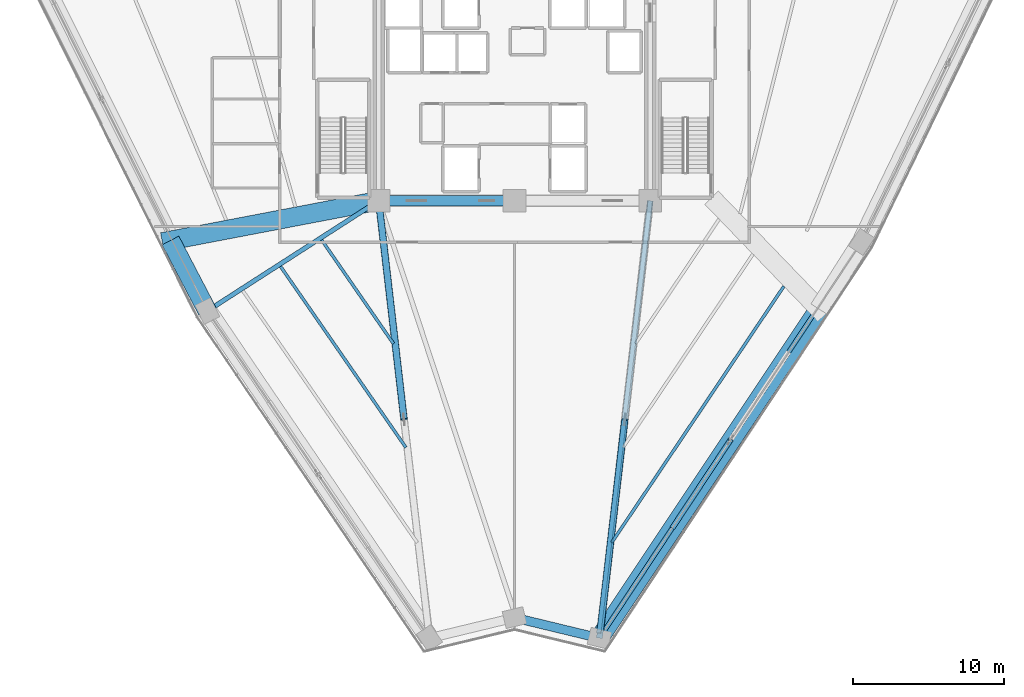
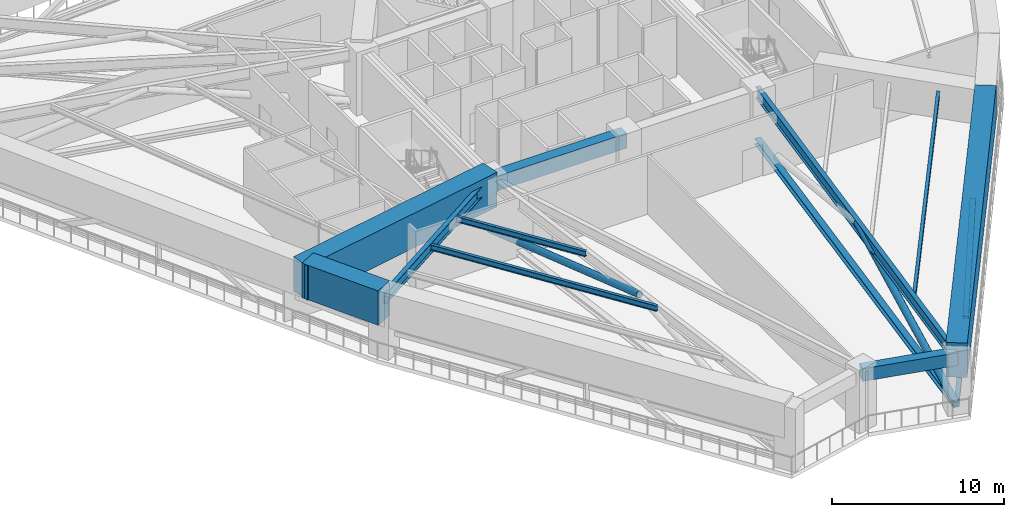
# One storey, part 3 of 27: 10 beams, 5 members.
"""IFC4 building model written with IfcOpenShell, lengths in metres."""

from ifc_helpers import new_model, si_unit, direction, frame, origin, origin_2d, place, context, subcontext, project, spatial, rectangle, hollow_rectangle, hollow_circle, i_section, extrude, source, transform, mapped, material, material_profile, profile_set, type_object, element, save


model = new_model("IFC4")

# Units and contexts
model_context = context("Model", 3, precision=1e-05, world=origin(), true_north=direction((0.0, 1.0)))
body_context = subcontext(model_context, "Body", "Model", "MODEL_VIEW")
ifc_project = project(units=[si_unit("LENGTHUNIT", "METRE"), si_unit("AREAUNIT", "SQUARE_METRE"), si_unit("VOLUMEUNIT", "CUBIC_METRE"), si_unit("PLANEANGLEUNIT", "RADIAN"), si_unit("MASSUNIT", "GRAM", prefix="KILO")], contexts=[model_context])

# Site, building, storey
site_placement = place(None, origin())
site = spatial("IfcSite", under=ifc_project, at=site_placement, CompositionType="ELEMENT")
building_placement = place(site_placement, origin())
building = spatial("IfcBuilding", under=site, at=building_placement, Name="Liaohun Quay Tower", CompositionType="ELEMENT")
storey_placement = place(building_placement, frame((0.0, 0.0, 185.25)))
storey = spatial("IfcBuildingStorey", under=building, at=storey_placement, Name="L48", CompositionType="ELEMENT", Elevation=185.25)

# Beams
ifc_material_1 = material(Name="Concrete C60", Category="concrete")
ifc_material_profile_1 = material_profile(ifc_material_1, rectangle(XDim=0.699951171875, YDim=1.050048828125, at=origin_2d()), Name="RC700x1050")
ifc_profile_set_1 = profile_set([ifc_material_profile_1], Name="Concrete C60")
beam_type_1 = type_object("IfcBeamType", Name="BM-CPL-1", PredefinedType="LINTEL", material=ifc_profile_set_1)
shared_shape_1 = source(origin(), body_context, "Body", "SweptSolid", [
    extrude(rectangle(XDim=0.699951171875, YDim=1.050048828125, at=origin_2d()), origin(), (0.0, 0.0, 1.0), 9.0),
])
beam_1_placement = place(storey_placement, frame((51.0, 46.5, 3.695068359375), z_axis=(1.0, 0.0, 0.0), x_axis=(0.0, 1.0, 0.0)))
element("IfcBeam", 1, at=beam_1_placement, inside=storey, type_object=beam_type_1, Name="L48 Core Coupling/Ring Beam CC1-CC2", PredefinedType="LINTEL", context=body_context, shape_type="MappedRepresentation", body=[
    mapped(shared_shape_1, transform((0.0, 0.0, 0.0), x_axis=(1.0, 0.0, 0.0), y_axis=(0.0, 1.0, 0.0), z_axis=(0.0, 0.0, 1.0), scale=1.0)),
])
ifc_material_2 = material(Name="Steel Q355D", Category="steel")
ifc_material_profile_2 = material_profile(ifc_material_2, i_section(OverallWidth=0.300048828125, OverallDepth=0.75, WebThickness=0.013916015625, FlangeThickness=0.02587890625, at=origin_2d()), Name="HN750x300x14x26")
ifc_profile_set_2 = profile_set([ifc_material_profile_2], Name="Steel Q355D")
beam_type_2 = type_object("IfcBeamType", Name="BM-RAD-M2", PredefinedType="BEAM", material=ifc_profile_set_2)
shared_shape_2 = source(origin(), body_context, "Body", "SweptSolid", [
    extrude(i_section(OverallWidth=0.300048828125, OverallDepth=0.75, WebThickness=0.013916015625, FlangeThickness=0.02587890625, at=origin_2d()), origin(), (0.0, 0.0, 1.0), 13.50537109375),
])
beam_2_placement = place(storey_placement, frame((51.0, 46.5, 3.844970703125), z_axis=(-0.840997523628, -0.54103896833, 0.0), x_axis=(0.54103896833, -0.840997523628, 0.0)))
element("IfcBeam", 2, at=beam_2_placement, inside=storey, type_object=beam_type_2, Name="L48 Radial Primary Girder CC1-PC02", PredefinedType="BEAM", context=body_context, shape_type="MappedRepresentation", body=[
    mapped(shared_shape_2, transform((0.0, 0.0, 0.0), x_axis=(1.0, 0.0, 0.0), y_axis=(0.0, 1.0, 0.0), z_axis=(0.0, 0.0, 1.0), scale=1.0)),
])
ifc_material_3 = material(Name="Precast concrete C55", Category="concrete")
ifc_material_profile_3 = material_profile(ifc_material_3, rectangle(XDim=0.60009765625, YDim=0.89990234375, at=origin_2d()), Name="RC600x900")
ifc_profile_set_3 = profile_set([ifc_material_profile_3], Name="Precast concrete C55")
beam_type_3 = type_object("IfcBeamType", Name="BM-SPD-Z2", PredefinedType="SPANDREL", material=ifc_profile_set_3)
shared_shape_3 = source(origin(), body_context, "Body", "SweptSolid", [
    extrude(rectangle(XDim=0.60009765625, YDim=0.89990234375, at=origin_2d()), origin(), (0.0, 0.0, 1.0), 5.79296875),
])
beam_3_placement = place(storey_placement, frame((65.631103515625, 17.506103515625, 3.77001953125), z_axis=(-0.972057342739, 0.23474352478, 0.0), x_axis=(-0.23474352478, -0.972057342739, 0.0)))
element("IfcBeam", 3, at=beam_3_placement, inside=storey, type_object=beam_type_3, Name="L48 Precast Spandrel Beam PC11-PC12", PredefinedType="SPANDREL", context=body_context, shape_type="MappedRepresentation", body=[
    mapped(shared_shape_3, transform((0.0, 0.0, 0.0), x_axis=(1.0, 0.0, 0.0), y_axis=(0.0, 1.0, 0.0), z_axis=(0.0, 0.0, 1.0), scale=1.0)),
])
ifc_material_profile_4 = material_profile(ifc_material_1, rectangle(XDim=1.25, YDim=2.449951171875, at=origin_2d()), Name="RC1250x2450")
ifc_profile_set_4 = profile_set([ifc_material_profile_4], Name="Concrete C60")
beam_type_4 = type_object("IfcBeamType", Name="BM-TRF-1", PredefinedType="BEAM", material=ifc_profile_set_4)
shared_shape_4 = source(origin(), body_context, "Body", "SweptSolid", [
    extrude(rectangle(XDim=1.25, YDim=2.449951171875, at=origin_2d()), origin(), (0.0, 0.0, 1.0), 5.269775390625),
])
beam_4_placement = place(storey_placement, frame((39.64208984375, 39.193115234375, 3.5), z_axis=(-0.46304249958, 0.886336078236, 0.0), x_axis=(-0.886336078236, -0.46304249958, 0.0)))
element("IfcBeam", 4, at=beam_4_placement, inside=storey, type_object=beam_type_4, Name="L48 Zone-Break Transfer Link PC02", PredefinedType="BEAM", context=body_context, shape_type="MappedRepresentation", body=[
    mapped(shared_shape_4, transform((0.0, 0.0, 0.0), x_axis=(1.0, 0.0, 0.0), y_axis=(0.0, 1.0, 0.0), z_axis=(0.0, 0.0, 1.0), scale=1.0)),
])
shared_shape_5 = source(origin(), body_context, "Body", "SweptSolid", [
    extrude(rectangle(XDim=1.25, YDim=2.449951171875, at=origin_2d()), origin(), (0.0, 0.0, 1.0), 14.59716796875),
])
beam_5_placement = place(storey_placement, frame((51.0, 46.5, 3.5), z_axis=(-0.982237853708, -0.187640077659, 0.0), x_axis=(0.187640077659, -0.982237853708, 0.0)))
element("IfcBeam", 5, at=beam_5_placement, inside=storey, type_object=beam_type_4, Name="L48 Radial Transfer Girder CC1-PC02", PredefinedType="BEAM", context=body_context, shape_type="MappedRepresentation", body=[
    mapped(shared_shape_5, transform((0.0, 0.0, 0.0), x_axis=(1.0, 0.0, 0.0), y_axis=(0.0, 1.0, 0.0), z_axis=(0.0, 0.0, 1.0), scale=1.0)),
])
shared_shape_6 = source(origin(), body_context, "Body", "SweptSolid", [
    extrude(rectangle(XDim=1.25, YDim=2.449951171875, at=origin_2d()), origin(), (0.0, 0.0, 1.0), 26.2236328125),
])
beam_6_placement = place(storey_placement, frame((80.177978515625, 39.324951171875, 3.5), z_axis=(-0.554725977448, -0.832033106279, 0.0), x_axis=(0.832033106279, -0.554725977448, 0.0)))
element("IfcBeam", 6, at=beam_6_placement, inside=storey, type_object=beam_type_4, Name="L48 Zone-Break Transfer Spandrel PC10-PC11", PredefinedType="BEAM", context=body_context, shape_type="MappedRepresentation", body=[
    mapped(shared_shape_6, transform((0.0, 0.0, 0.0), x_axis=(1.0, 0.0, 0.0), y_axis=(0.0, 1.0, 0.0), z_axis=(0.0, 0.0, 1.0), scale=1.0)),
])
ifc_material_profile_5 = material_profile(ifc_material_2, i_section(OverallWidth=0.300048828125, OverallDepth=0.800048828125, WebThickness=0.013916015625, FlangeThickness=0.02587890625, at=origin_2d()), Name="HN800x300x14x26")
ifc_profile_set_5 = profile_set([ifc_material_profile_5], Name="Steel Q355D")
beam_type_5 = type_object("IfcBeamType", Name="BM-RAD-M1", PredefinedType="BEAM", material=ifc_profile_set_5)
shared_shape_7 = source(origin(), body_context, "Body", "SweptSolid", [
    extrude(i_section(OverallWidth=0.300048828125, OverallDepth=0.800048828125, WebThickness=0.013916015625, FlangeThickness=0.02587890625, at=origin_2d()), origin(), (0.0, 0.0, 1.0), 28.85791015625),
])
beam_7_placement = place(storey_placement, frame((69.0, 46.5, 3.820068359375), z_axis=(-0.11834020208, -0.992973109692, 0.0), x_axis=(0.992973109692, -0.11834020208, 0.0)))
element("IfcBeam", 7, at=beam_7_placement, inside=storey, type_object=beam_type_5, Name="L48 Radial Primary Girder CC3-PC11", PredefinedType="BEAM", context=body_context, shape_type="MappedRepresentation", body=[
    mapped(shared_shape_7, transform((0.0, 0.0, 0.0), x_axis=(1.0, 0.0, 0.0), y_axis=(0.0, 1.0, 0.0), z_axis=(0.0, 0.0, 1.0), scale=1.0)),
])
ifc_material_profile_6 = material_profile(ifc_material_2, i_section(OverallWidth=0.199951171875, OverallDepth=0.39990234375, WebThickness=0.008056640625, FlangeThickness=0.012939453125, at=origin_2d()), Name="HN400x200x8x13")
ifc_profile_set_6 = profile_set([ifc_material_profile_6], Name="Steel Q355D")
beam_type_6 = type_object("IfcBeamType", Name="BM-SEC-J2", PredefinedType="JOIST", material=ifc_profile_set_6)
shared_shape_8 = source(origin(), body_context, "Body", "SweptSolid", [
    extrude(i_section(OverallWidth=0.199951171875, OverallDepth=0.39990234375, WebThickness=0.008056640625, FlangeThickness=0.012939453125, at=origin_2d()), origin(), (0.0, 0.0, 1.0), 8.356201171875),
])
beam_8_placement = place(storey_placement, frame((51.98095703125, 37.02197265625, 4.02001953125), z_axis=(-0.569258594459, 0.822158532544, 0.0), x_axis=(-0.822158532544, -0.569258594459, 0.0)))
element("IfcBeam", 8, at=beam_8_placement, inside=storey, type_object=beam_type_6, Name="L48 Wing Secondary Floor Joist SJ-01", PredefinedType="JOIST", context=body_context, shape_type="MappedRepresentation", body=[
    mapped(shared_shape_8, transform((0.0, 0.0, 0.0), x_axis=(1.0, 0.0, 0.0), y_axis=(0.0, 1.0, 0.0), z_axis=(0.0, 0.0, 1.0), scale=1.0)),
])
shared_shape_9 = source(origin(), body_context, "Body", "SweptSolid", [
    extrude(i_section(OverallWidth=0.199951171875, OverallDepth=0.39990234375, WebThickness=0.008056640625, FlangeThickness=0.012939453125, at=origin_2d()), origin(), (0.0, 0.0, 1.0), 14.588623046875),
])
beam_9_placement = place(storey_placement, frame((52.802978515625, 30.14501953125, 4.02001953125), z_axis=(-0.569277854451, 0.822145196685, 0.0), x_axis=(-0.822145196685, -0.569277854451, 0.0)))
element("IfcBeam", 9, at=beam_9_placement, inside=storey, type_object=beam_type_6, Name="L48 Wing Secondary Floor Joist SJ-02", PredefinedType="JOIST", context=body_context, shape_type="MappedRepresentation", body=[
    mapped(shared_shape_9, transform((0.0, 0.0, 0.0), x_axis=(1.0, 0.0, 0.0), y_axis=(0.0, 1.0, 0.0), z_axis=(0.0, 0.0, 1.0), scale=1.0)),
])
shared_shape_10 = source(origin(), body_context, "Body", "SweptSolid", [
    extrude(i_section(OverallWidth=0.199951171875, OverallDepth=0.39990234375, WebThickness=0.008056640625, FlangeThickness=0.012939453125, at=origin_2d()), origin(), (0.0, 0.0, 1.0), 20.45458984375),
])
beam_10_placement = place(storey_placement, frame((77.85693359375, 40.8291015625, 4.02001953125), z_axis=(-0.55757521191, -0.830126425952, 0.0), x_axis=(0.830126425952, -0.55757521191, 0.0)))
element("IfcBeam", 10, at=beam_10_placement, inside=storey, type_object=beam_type_6, Name="L48 Wing Secondary Floor Joist SJ-14", PredefinedType="JOIST", context=body_context, shape_type="MappedRepresentation", body=[
    mapped(shared_shape_10, transform((0.0, 0.0, 0.0), x_axis=(1.0, 0.0, 0.0), y_axis=(0.0, 1.0, 0.0), z_axis=(0.0, 0.0, 1.0), scale=1.0)),
])

# Members
ifc_material_4 = material(Name="Steel Q420D", Category="steel")
ifc_material_profile_7 = material_profile(ifc_material_4, hollow_circle(Radius=0.228515625, WallThickness=0.02001953125, at=origin_2d()), Name="CHS457x20")
ifc_profile_set_7 = profile_set([ifc_material_profile_7], Name="Steel Q420D")
member_type_1 = type_object("IfcMemberType", Name="MEM-OUT-DG1", PredefinedType="BRACE", material=ifc_profile_set_7)
shared_shape_11 = source(origin(), body_context, "Body", "SweptSolid", [
    extrude(hollow_circle(Radius=0.228515625, WallThickness=0.02001953125, at=origin_2d()), origin(), (0.0, 0.0, 1.0), 15.025390625),
])
member_1_placement = place(storey_placement, frame((51.0, 46.5, 0.35009765625), z_axis=(0.111871157537, -0.964902951223, 0.237586066159), x_axis=(0.993345930175, 0.115168845636, 0.0)))
element("IfcMember", 11, at=member_1_placement, inside=storey, type_object=member_type_1, Name="L48 Outrigger Diagonal OD-01A", PredefinedType="BRACE", context=body_context, shape_type="MappedRepresentation", body=[
    mapped(shared_shape_11, transform((0.0, 0.0, 0.0), x_axis=(1.0, 0.0, 0.0), y_axis=(0.0, 1.0, 0.0), z_axis=(0.0, 0.0, 1.0), scale=1.0)),
])
ifc_material_profile_8 = material_profile(ifc_material_4, i_section(OverallWidth=0.405029296875, OverallDepth=0.4140625, WebThickness=0.01806640625, FlangeThickness=0.028076171875, at=origin_2d()), Name="HW414x405x18x28")
ifc_profile_set_8 = profile_set([ifc_material_profile_8], Name="Steel Q420D")
member_type_2 = type_object("IfcMemberType", Name="MEM-OUT-CHD", PredefinedType="CHORD", material=ifc_profile_set_8)
shared_shape_12 = source(origin(), body_context, "Body", "SweptSolid", [
    extrude(i_section(OverallWidth=0.405029296875, OverallDepth=0.4140625, WebThickness=0.01806640625, FlangeThickness=0.028076171875, at=origin_2d()), origin(), (0.0, 0.0, 1.0), 29.18896484375),
])
member_2_placement = place(storey_placement, frame((69.0, 46.5, 0.35009765625), z_axis=(-0.115416796794, -0.993317151275, 0.0), x_axis=(0.993317151275, -0.115416796794, 0.0)))
element("IfcMember", 12, at=member_2_placement, inside=storey, type_object=member_type_2, Name="L48 Outrigger Bottom Chord OC-06", PredefinedType="CHORD", context=body_context, shape_type="MappedRepresentation", body=[
    mapped(shared_shape_12, transform((0.0, 0.0, 0.0), x_axis=(1.0, 0.0, 0.0), y_axis=(0.0, 1.0, 0.0), z_axis=(0.0, 0.0, 1.0), scale=1.0)),
])
shared_shape_13 = source(origin(), body_context, "Body", "SweptSolid", [
    extrude(hollow_circle(Radius=0.228515625, WallThickness=0.02001953125, at=origin_2d()), origin(), (0.0, 0.0, 1.0), 15.024658203125),
])
member_3_placement = place(storey_placement, frame((67.31591796875, 32.0029296875, 3.919921875), z_axis=(-0.112136659228, -0.964869249141, -0.237597772966), x_axis=(0.993314162774, -0.115442513975, 0.0)))
element("IfcMember", 13, at=member_3_placement, inside=storey, type_object=member_type_1, Name="L48 Outrigger Diagonal OD-06B", PredefinedType="BRACE", context=body_context, shape_type="MappedRepresentation", body=[
    mapped(shared_shape_13, transform((0.0, 0.0, 0.0), x_axis=(1.0, 0.0, 0.0), y_axis=(0.0, 1.0, 0.0), z_axis=(0.0, 0.0, 1.0), scale=1.0)),
])
ifc_material_profile_9 = material_profile(ifc_material_2, hollow_rectangle(XDim=0.35009765625, YDim=0.35009765625, WallThickness=0.01611328125, at=origin_2d()), Name="SHS350x350x16")
ifc_profile_set_9 = profile_set([ifc_material_profile_9], Name="Steel Q355D")
member_type_3 = type_object("IfcMemberType", Name="MEM-BLT-DG2", PredefinedType="BRACE", material=ifc_profile_set_9)
shared_shape_14 = source(origin(), body_context, "Body", "SweptSolid", [
    extrude(hollow_rectangle(XDim=0.35009765625, YDim=0.35009765625, WallThickness=0.01611328125, at=origin_2d()), origin(), (0.0, 0.0, 1.0), 7.79345703125),
])
member_4_placement = place(storey_placement, frame((74.31591796875, 30.639892578125, 3.919921875), z_axis=(-0.490262265718, -0.741502097734, -0.458058456826), x_axis=(0.83415871995, -0.551524459958, 0.0)))
element("IfcMember", 14, at=member_4_placement, inside=storey, type_object=member_type_3, Name="L48 Belt Truss Diagonal BD-06B", PredefinedType="BRACE", context=body_context, shape_type="MappedRepresentation", body=[
    mapped(shared_shape_14, transform((0.0, 0.0, 0.0), x_axis=(1.0, 0.0, 0.0), y_axis=(0.0, 1.0, 0.0), z_axis=(0.0, 0.0, 1.0), scale=1.0)),
])
ifc_material_profile_10 = material_profile(ifc_material_2, i_section(OverallWidth=0.300048828125, OverallDepth=0.300048828125, WebThickness=0.010009765625, FlangeThickness=0.014892578125, at=origin_2d()), Name="HW300x300x10x15")
ifc_profile_set_10 = profile_set([ifc_material_profile_10], Name="Steel Q355D")
member_type_4 = type_object("IfcMemberType", Name="MEM-BLT-CHD", PredefinedType="CHORD", material=ifc_profile_set_10)
shared_shape_15 = source(origin(), body_context, "Body", "SweptSolid", [
    extrude(i_section(OverallWidth=0.300048828125, OverallDepth=0.300048828125, WebThickness=0.010009765625, FlangeThickness=0.014892578125, at=origin_2d()), origin(), (0.0, 0.0, 1.0), 31.491943359375),
])
member_5_placement = place(storey_placement, frame((83.001953125, 43.77392578125, 0.35009765625), z_axis=(-0.551595953876, -0.834111445592, 0.0), x_axis=(0.834111445592, -0.551595953876, 0.0)))
element("IfcMember", 15, at=member_5_placement, inside=storey, type_object=member_type_4, Name="L48 Belt Truss Bottom Chord BC-1-06", PredefinedType="CHORD", context=body_context, shape_type="MappedRepresentation", body=[
    mapped(shared_shape_15, transform((0.0, 0.0, 0.0), x_axis=(1.0, 0.0, 0.0), y_axis=(0.0, 1.0, 0.0), z_axis=(0.0, 0.0, 1.0), scale=1.0)),
])

save(model, "model.ifc")
